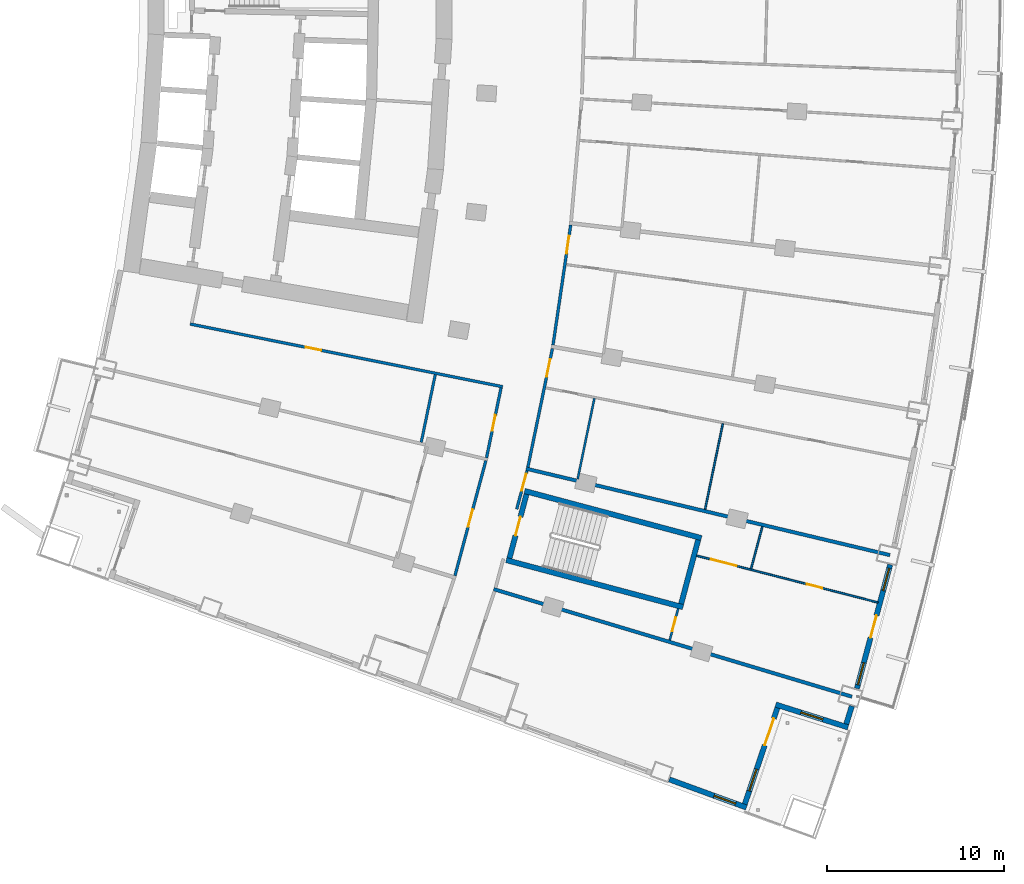
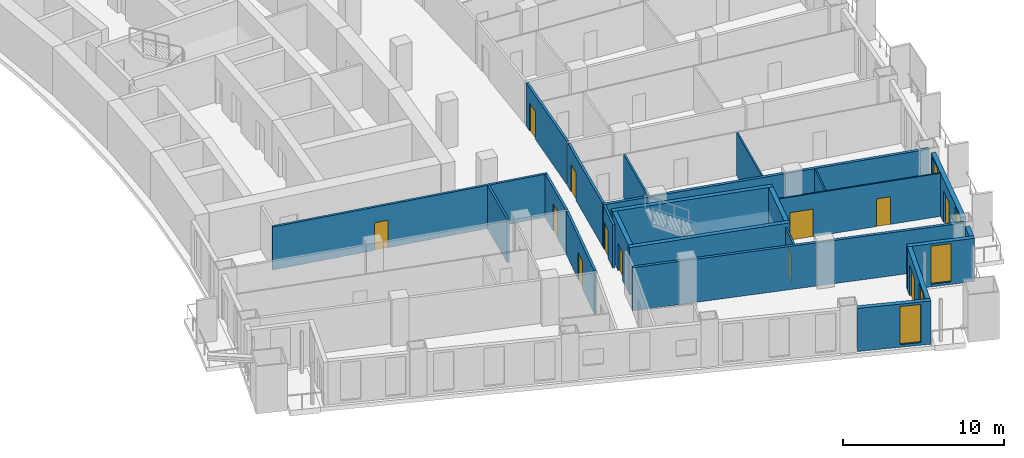
# One storey, part 14 of 25: 23 walls, 12 doors, 5 windows, 17 openings.
"""IFC4 building model written with IfcOpenShell, lengths in metres."""

from ifc_helpers import new_model, si_unit, direction, frame, frame_2d, origin, place, context, subcontext, project, spatial, rectangle, extrude, material, layer, layer_set, type_object, element, fill, save


model = new_model("IFC4")

# Units and contexts
model_context = context("Model", 3, precision=1e-05, world=origin(), true_north=direction((0.0, 1.0)))
body_context = subcontext(model_context, "Body", "Model", "MODEL_VIEW")
ifc_project = project(units=[si_unit("LENGTHUNIT", "METRE"), si_unit("AREAUNIT", "SQUARE_METRE"), si_unit("VOLUMEUNIT", "CUBIC_METRE"), si_unit("PLANEANGLEUNIT", "RADIAN"), si_unit("MASSUNIT", "GRAM", prefix="KILO")], contexts=[model_context])

# Site, building, storey
site_placement = place(None, origin())
site = spatial("IfcSite", under=ifc_project, at=site_placement, CompositionType="ELEMENT")
building_placement = place(site_placement, origin())
building = spatial("IfcBuilding", under=site, at=building_placement, Name="Alderwake Tower", CompositionType="ELEMENT")
storey_placement = place(building_placement, frame((0.0, 0.0, 68.0)))
storey = spatial("IfcBuildingStorey", under=building, at=storey_placement, Name="L16", CompositionType="ELEMENT", Elevation=68.0)

# Walls
ifc_material_1 = material(Name="Concrete C70/85", Category="concrete")
ifc_layer_1 = layer(ifc_material_1, 0.300048828125)
ifc_layer_set_1 = layer_set([ifc_layer_1], Name="Core wall stair enclosure 300 C70-85")
wall_type_1 = type_object("IfcWallType", Name="Core wall stair enclosure 300 C70-85", PredefinedType="SHEAR", material=ifc_layer_set_1)
for number, where, z_axis, x_axis, name in (
    (1, (37.75390625, 31.731201171875, 0.0), (0.0, 0.0, 1.0), (0.966309214305, -0.257383958996, 0.0), "Core wall CW.086"),
    (2, (36.71142578125, 27.817626953125, 0.0), (0.0, 0.0, 1.0), (0.966309214305, -0.257383958996, 0.0), "Core wall CW.088"),
):
    element("IfcWall", number, at=place(storey_placement, frame(where, z_axis=z_axis, x_axis=x_axis)), inside=storey, type_object=wall_type_1, Name=name, PredefinedType="SHEAR", context=body_context, shape_type="SweptSolid", body=[
        extrude(rectangle(XDim=10.360107421875, YDim=0.300048828125, at=frame_2d((5.18017578125, 0.0))), origin(), (0.0, 0.0, 1.0), 3.60009765625),
    ])

# Wall, opening, door
wall_1_placement = place(storey_placement, frame((36.89501953125, 27.923828125, 0.0), z_axis=(0.0, 0.0, 1.0), x_axis=(0.257350630826, 0.966318090907, 0.0)))
wall_1 = element("IfcWall", 3, at=wall_1_placement, inside=storey, type_object=wall_type_1, Name="Core wall CW.087", PredefinedType="SHEAR", context=body_context, shape_type="SweptSolid", body=[
    extrude(rectangle(XDim=3.75, YDim=0.300048828125, at=frame_2d((1.875, 0.0))), origin(), (0.0, 0.0, 1.0), 3.60009765625),
])
opening_1_placement = place(wall_1_placement, frame((1.324951171875, 0.0, 0.0)))
opening_1 = element("IfcOpeningElement", 4, at=opening_1_placement, cuts=wall_1, Name="Opening C065", PredefinedType="OPENING", context=body_context, shape_type="SweptSolid", body=[
    extrude(rectangle(XDim=1.10009765625, YDim=2.10009765625, at=frame_2d((0.550048828125, 1.050048828125))), frame((0.0, 0.159912109375, 0.0), z_axis=(0.0, -1.0, 0.0), x_axis=(1.0, 0.0, 0.0)), (0.0, 0.0, 1.0), 0.320068359375),
])
ifc_material_2 = material(Name="Steel-framed fire door leaf", Category="steel")
door_type_1 = type_object("IfcDoorType", Name="Core stair door 1100 fire-rated", OperationType="SINGLE_SWING_LEFT", PredefinedType="DOOR", material=ifc_material_2)
door_1_placement = place(opening_1_placement, origin())
door_1 = element("IfcDoor", 5, at=door_1_placement, inside=storey, type_object=door_type_1, Name="Stair door", OperationType="SINGLE_SWING_LEFT", OverallHeight=2.10009765625, OverallWidth=1.10009765625, PredefinedType="DOOR", context=body_context, shape_type="SweptSolid", body=[
    extrude(rectangle(XDim=1.10009765625, YDim=2.10009765625, at=frame_2d((0.550048828125, 1.050048828125))), frame((0.0, 0.02490234375, 0.0), z_axis=(0.0, -1.0, 0.0), x_axis=(1.0, 0.0, 0.0)), (0.0, 0.0, 1.0), 0.050048828125),
])
fill(opening_1, door_1)

# Wall
wall_2_placement = place(storey_placement, frame((46.6162109375, 25.334716796875, 0.0), z_axis=(0.0, 0.0, 1.0), x_axis=(0.257366821694, 0.966313778796, 0.0)))
element("IfcWall", 6, at=wall_2_placement, inside=storey, type_object=wall_type_1, Name="Core wall CW.085", PredefinedType="SHEAR", context=body_context, shape_type="SweptSolid", body=[
    extrude(rectangle(XDim=3.749755859375, YDim=0.300048828125, at=frame_2d((1.875, 0.0))), origin(), (0.0, 0.0, 1.0), 3.60009765625),
])

# Wall, opening, door
ifc_material_3 = material(Name="Gypsum board on metal studs, rated")
ifc_layer_2 = layer(ifc_material_3, 0.159912109375)
ifc_layer_set_2 = layer_set([ifc_layer_2], Name="Corridor wall 160")
wall_type_2 = type_object("IfcWallType", Name="Corridor wall 160", PredefinedType="PARTITIONING", material=ifc_layer_set_2)
wall_3_placement = place(storey_placement, frame((36.513427734375, 37.63427734375, 0.0), z_axis=(0.0, 0.0, 1.0), x_axis=(-0.980470254867, 0.1966674333, 0.0)))
wall_3 = element("IfcWall", 7, at=wall_3_placement, inside=storey, type_object=wall_type_2, Name="WL/L16/W18", PredefinedType="PARTITIONING", context=body_context, shape_type="SweptSolid", body=[
    extrude(rectangle(XDim=18.053466796875, YDim=0.159912109375, at=frame_2d((9.02685546875, 0.0))), origin(), (0.0, 0.0, 1.0), 3.280029296875),
])
opening_2_placement = place(wall_3_placement, frame((10.476806640625, 0.0, 0.0)))
opening_2 = element("IfcOpeningElement", 8, at=opening_2_placement, cuts=wall_3, Name="Opening R04-SBS1", PredefinedType="OPENING", context=body_context, shape_type="SweptSolid", body=[
    extrude(rectangle(XDim=0.89990234375, YDim=2.10009765625, at=frame_2d((0.449951171875, 1.050048828125))), frame((0.0, 0.08984375, 0.0), z_axis=(0.0, -1.0, 0.0), x_axis=(1.0, 0.0, 0.0)), (0.0, 0.0, 1.0), 0.179931640625),
])
ifc_material_4 = material(Name="Painted timber leaf", Category="wood")
door_type_2 = type_object("IfcDoorType", Name="Room door 900", OperationType="SINGLE_SWING_LEFT", PredefinedType="DOOR", material=ifc_material_4)
door_2_placement = place(opening_2_placement, origin())
door_2 = element("IfcDoor", 9, at=door_2_placement, inside=storey, type_object=door_type_2, Name="DR/L16/SBS1", OperationType="SINGLE_SWING_LEFT", OverallHeight=2.10009765625, OverallWidth=0.89990234375, PredefinedType="DOOR", context=body_context, shape_type="SweptSolid", body=[
    extrude(rectangle(XDim=0.89990234375, YDim=2.10009765625, at=frame_2d((0.449951171875, 1.050048828125))), frame((0.0, 0.02490234375, 0.0), z_axis=(0.0, -1.0, 0.0), x_axis=(1.0, 0.0, 0.0)), (0.0, 0.0, 1.0), 0.050048828125),
])
fill(opening_2, door_2)

wall_4_placement = place(storey_placement, frame((33.808837890625, 26.9345703125, 0.0), z_axis=(0.0, 0.0, 1.0), x_axis=(0.259298911818, 0.965797118618, 0.0)))
wall_4 = element("IfcWall", 10, at=wall_4_placement, inside=storey, type_object=wall_type_2, Name="WL/L16/W25", PredefinedType="PARTITIONING", context=body_context, shape_type="SweptSolid", body=[
    extrude(rectangle(XDim=6.75, YDim=0.159912109375, at=frame_2d((3.375, 0.0))), origin(), (0.0, 0.0, 1.0), 3.280029296875),
])
opening_3_placement = place(wall_4_placement, frame((2.875, 0.0, 0.0)))
opening_3 = element("IfcOpeningElement", 11, at=opening_3_placement, cuts=wall_4, Name="Opening R04-U13.1", PredefinedType="OPENING", context=body_context, shape_type="SweptSolid", body=[
    extrude(rectangle(XDim=1.0, YDim=2.10009765625, at=frame_2d((0.5, 1.050048828125))), frame((0.0, 0.08984375, 0.0), z_axis=(0.0, -1.0, 0.0), x_axis=(1.0, 0.0, 0.0)), (0.0, 0.0, 1.0), 0.179931640625),
])
ifc_material_5 = material(Name="Solid timber leaf in steel frame", Category="steel")
door_type_3 = type_object("IfcDoorType", Name="Flat entrance door 1000 fire-rated", OperationType="SINGLE_SWING_LEFT", PredefinedType="DOOR", material=ifc_material_5)
door_3_placement = place(opening_3_placement, origin())
door_3 = element("IfcDoor", 12, at=door_3_placement, inside=storey, type_object=door_type_3, Name="DR/L16/U13.1", OperationType="SINGLE_SWING_LEFT", OverallHeight=2.10009765625, OverallWidth=1.0, PredefinedType="DOOR", context=body_context, shape_type="SweptSolid", body=[
    extrude(rectangle(XDim=1.0, YDim=2.10009765625, at=frame_2d((0.5, 1.050048828125))), frame((0.0, 0.02490234375, 0.0), z_axis=(0.0, -1.0, 0.0), x_axis=(1.0, 0.0, 0.0)), (0.0, 0.0, 1.0), 0.050048828125),
])
fill(opening_3, door_3)

wall_5_placement = place(storey_placement, frame((35.59619140625, 33.609375, 0.0), z_axis=(0.0, 0.0, 1.0), x_axis=(0.203245920818, 0.979127721838, 0.0)))
wall_5 = element("IfcWall", 13, at=wall_5_placement, inside=storey, type_object=wall_type_2, Name="WL/L16/W30", PredefinedType="PARTITIONING", context=body_context, shape_type="SweptSolid", body=[
    extrude(rectangle(XDim=4.046875, YDim=0.159912109375, at=frame_2d((2.0234375, 0.0))), origin(), (0.0, 0.0, 1.0), 3.280029296875),
])
opening_4_placement = place(wall_5_placement, frame((1.573486328125, 0.0, 0.0)))
opening_4 = element("IfcOpeningElement", 14, at=opening_4_placement, cuts=wall_5, Name="Opening R04-SBS2", PredefinedType="OPENING", context=body_context, shape_type="SweptSolid", body=[
    extrude(rectangle(XDim=0.89990234375, YDim=2.10009765625, at=frame_2d((0.449951171875, 1.050048828125))), frame((0.0, 0.08984375, 0.0), z_axis=(0.0, -1.0, 0.0), x_axis=(1.0, 0.0, 0.0)), (0.0, 0.0, 1.0), 0.179931640625),
])
door_4_placement = place(opening_4_placement, origin())
door_4 = element("IfcDoor", 15, at=door_4_placement, inside=storey, type_object=door_type_2, Name="DR/L16/SBS2", OperationType="SINGLE_SWING_LEFT", OverallHeight=2.10009765625, OverallWidth=0.89990234375, PredefinedType="DOOR", context=body_context, shape_type="SweptSolid", body=[
    extrude(rectangle(XDim=0.89990234375, YDim=2.10009765625, at=frame_2d((0.449951171875, 1.050048828125))), frame((0.0, 0.02490234375, 0.0), z_axis=(0.0, -1.0, 0.0), x_axis=(1.0, 0.0, 0.0)), (0.0, 0.0, 1.0), 0.050048828125),
])
fill(opening_4, door_4)

wall_6_placement = place(storey_placement, frame((37.89111328125, 32.87939453125, 0.0), z_axis=(0.0, 0.0, 1.0), x_axis=(-0.259620578816, -0.965710699462, 0.0)))
wall_6 = element("IfcWall", 16, at=wall_6_placement, inside=storey, type_object=wall_type_2, Name="WL/L16/W33", PredefinedType="PARTITIONING", context=body_context, shape_type="SweptSolid", body=[
    extrude(rectangle(XDim=2.2578125, YDim=0.159912109375, at=frame_2d((1.12890625, 0.0))), origin(), (0.0, 0.0, 1.0), 3.280029296875),
])
opening_5_placement = place(wall_6_placement, frame((0.1708984375, 0.0, 0.0)))
opening_5 = element("IfcOpeningElement", 17, at=opening_5_placement, cuts=wall_6, Name="Opening R04-U01.1", PredefinedType="OPENING", context=body_context, shape_type="SweptSolid", body=[
    extrude(rectangle(XDim=1.0, YDim=2.10009765625, at=frame_2d((0.5, 1.050048828125))), frame((0.0, 0.08984375, 0.0), z_axis=(0.0, -1.0, 0.0), x_axis=(1.0, 0.0, 0.0)), (0.0, 0.0, 1.0), 0.179931640625),
])
door_5_placement = place(opening_5_placement, origin())
door_5 = element("IfcDoor", 18, at=door_5_placement, inside=storey, type_object=door_type_3, Name="DR/L16/U01.1", OperationType="SINGLE_SWING_LEFT", OverallHeight=2.10009765625, OverallWidth=1.0, PredefinedType="DOOR", context=body_context, shape_type="SweptSolid", body=[
    extrude(rectangle(XDim=1.0, YDim=2.10009765625, at=frame_2d((0.5, 1.050048828125))), frame((0.0, 0.02490234375, 0.0), z_axis=(0.0, -1.0, 0.0), x_axis=(1.0, 0.0, 0.0)), (0.0, 0.0, 1.0), 0.050048828125),
])
fill(opening_5, door_5)

wall_7_placement = place(storey_placement, frame((39.32763671875, 39.799072265625, 0.0), z_axis=(0.0, 0.0, 1.0), x_axis=(-0.202463357072, -0.97928983914, 0.0)))
wall_7 = element("IfcWall", 19, at=wall_7_placement, inside=storey, type_object=wall_type_2, Name="WL/L16/W34", PredefinedType="PARTITIONING", context=body_context, shape_type="SweptSolid", body=[
    extrude(rectangle(XDim=6.867431640625, YDim=0.159912109375, at=frame_2d((3.43359375, 0.0))), origin(), (0.0, 0.0, 1.0), 3.280029296875),
])
opening_6_placement = place(wall_7_placement, frame((0.62744140625, 0.0, 0.0)))
opening_6 = element("IfcOpeningElement", 20, at=opening_6_placement, cuts=wall_7, Name="Opening R04-U05.2", PredefinedType="OPENING", context=body_context, shape_type="SweptSolid", body=[
    extrude(rectangle(XDim=1.0, YDim=2.10009765625, at=frame_2d((0.5, 1.050048828125))), frame((0.0, 0.08984375, 0.0), z_axis=(0.0, -1.0, 0.0), x_axis=(1.0, 0.0, 0.0)), (0.0, 0.0, 1.0), 0.179931640625),
])
door_6_placement = place(opening_6_placement, origin())
door_6 = element("IfcDoor", 21, at=door_6_placement, inside=storey, type_object=door_type_3, Name="DR/L16/U05.2", OperationType="SINGLE_SWING_LEFT", OverallHeight=2.10009765625, OverallWidth=1.0, PredefinedType="DOOR", context=body_context, shape_type="SweptSolid", body=[
    extrude(rectangle(XDim=1.0, YDim=2.10009765625, at=frame_2d((0.5, 1.050048828125))), frame((0.0, 0.02490234375, 0.0), z_axis=(0.0, -1.0, 0.0), x_axis=(1.0, 0.0, 0.0)), (0.0, 0.0, 1.0), 0.050048828125),
])
fill(opening_6, door_6)

wall_8_placement = place(storey_placement, frame((40.3623046875, 46.7939453125, 0.0), z_axis=(0.0, 0.0, 1.0), x_axis=(-0.1455042199, -0.989357630987, 0.0)))
wall_8 = element("IfcWall", 22, at=wall_8_placement, inside=storey, type_object=wall_type_2, Name="WL/L16/W36", PredefinedType="PARTITIONING", context=body_context, shape_type="SweptSolid", body=[
    extrude(rectangle(XDim=6.87109375, YDim=0.159912109375, at=frame_2d((3.435546875, 0.0))), origin(), (0.0, 0.0, 1.0), 3.280029296875),
])
opening_7_placement = place(wall_8_placement, frame((0.628662109375, 0.0, 0.0)))
opening_7 = element("IfcOpeningElement", 23, at=opening_7_placement, cuts=wall_8, Name="Opening R04-U06.2", PredefinedType="OPENING", context=body_context, shape_type="SweptSolid", body=[
    extrude(rectangle(XDim=1.0, YDim=2.10009765625, at=frame_2d((0.5, 1.050048828125))), frame((0.0, 0.08984375, 0.0), z_axis=(0.0, -1.0, 0.0), x_axis=(1.0, 0.0, 0.0)), (0.0, 0.0, 1.0), 0.179931640625),
])
door_7_placement = place(opening_7_placement, origin())
door_7 = element("IfcDoor", 24, at=door_7_placement, inside=storey, type_object=door_type_3, Name="DR/L16/U06.2", OperationType="SINGLE_SWING_LEFT", OverallHeight=2.10009765625, OverallWidth=1.0, PredefinedType="DOOR", context=body_context, shape_type="SweptSolid", body=[
    extrude(rectangle(XDim=1.0, YDim=2.10009765625, at=frame_2d((0.5, 1.050048828125))), frame((0.0, 0.02490234375, 0.0), z_axis=(0.0, -1.0, 0.0), x_axis=(1.0, 0.0, 0.0)), (0.0, 0.0, 1.0), 0.050048828125),
])
fill(opening_7, door_7)

# Wall
ifc_material_6 = material(Name="Precast concrete C50/60 spandrel panel", Category="concrete")
ifc_layer_3 = layer(ifc_material_6, 0.300048828125)
ifc_layer_set_3 = layer_set([ifc_layer_3], Name="External wall EW1 Precast concrete C50/60 spandrel")
wall_type_3 = type_object("IfcWallType", Name="External wall EW1 Precast concrete C50/60 spandrel", PredefinedType="SOLIDWALL", material=ifc_layer_set_3)
wall_9_placement = place(storey_placement, frame((55.968994140625, 18.53125, 0.0), z_axis=(0.0, 0.0, 1.0), x_axis=(0.29467833964, 0.955596502791, 0.0)))
element("IfcWall", 25, at=wall_9_placement, inside=storey, type_object=wall_type_3, Name="External wall 11", PredefinedType="SOLIDWALL", context=body_context, shape_type="SweptSolid", body=[
    extrude(rectangle(XDim=1.0712890625, YDim=0.300048828125, at=frame_2d((0.53564453125, 0.0))), origin(), (0.0, 0.0, 1.0), 3.280029296875),
])

# Wall, openings, door, windows
wall_10_placement = place(storey_placement, frame((56.56982421875, 20.545166015625, 0.0), z_axis=(0.0, 0.0, 1.0), x_axis=(0.259495836826, 0.96574422632, 0.0)))
wall_10 = element("IfcWall", 26, at=wall_10_placement, inside=storey, type_object=wall_type_3, Name="External wall 12", PredefinedType="SOLIDWALL", context=body_context, shape_type="SweptSolid", body=[
    extrude(rectangle(XDim=7.259521484375, YDim=0.300048828125, at=frame_2d((3.6298828125, 0.0))), origin(), (0.0, 0.0, 1.0), 3.280029296875),
])
opening_8_placement = place(wall_10_placement, frame((0.215087890625, 0.0, 0.199951171875)))
opening_8 = element("IfcOpeningElement", 27, at=opening_8_placement, cuts=wall_10, Name="Opening W1", PredefinedType="OPENING", context=body_context, shape_type="SweptSolid", body=[
    extrude(rectangle(XDim=1.300048828125, YDim=2.89990234375, at=frame_2d((0.64990234375, 1.449951171875))), frame((0.0, 0.159912109375, 0.0), z_axis=(0.0, -1.0, 0.0), x_axis=(1.0, 0.0, 0.0)), (0.0, 0.0, 1.0), 0.320068359375),
])
opening_9_placement = place(wall_10_placement, frame((2.979736328125, 0.0, 0.0)))
opening_9 = element("IfcOpeningElement", 28, at=opening_9_placement, cuts=wall_10, Name="Opening D03", PredefinedType="OPENING", context=body_context, shape_type="SweptSolid", body=[
    extrude(rectangle(XDim=1.300048828125, YDim=2.39990234375, at=frame_2d((0.64990234375, 1.199951171875))), frame((0.0, 0.159912109375, 0.0), z_axis=(0.0, -1.0, 0.0), x_axis=(1.0, 0.0, 0.0)), (0.0, 0.0, 1.0), 0.320068359375),
])
opening_10_placement = place(wall_10_placement, frame((5.744384765625, 0.0, 0.199951171875)))
opening_10 = element("IfcOpeningElement", 29, at=opening_10_placement, cuts=wall_10, Name="Opening W1", PredefinedType="OPENING", context=body_context, shape_type="SweptSolid", body=[
    extrude(rectangle(XDim=1.300048828125, YDim=2.89990234375, at=frame_2d((0.64990234375, 1.449951171875))), frame((0.0, 0.159912109375, 0.0), z_axis=(0.0, -1.0, 0.0), x_axis=(1.0, 0.0, 0.0)), (0.0, 0.0, 1.0), 0.320068359375),
])
ifc_material_7 = material(Name="Bronze tinted glass in aluminium frame", Category="aluminium")
door_type_4 = type_object("IfcDoorType", Name="Balcony door BD sliding", OperationType="SLIDING_TO_LEFT", PredefinedType="DOOR", material=ifc_material_7)
door_8_placement = place(opening_9_placement, origin())
door_8 = element("IfcDoor", 30, at=door_8_placement, inside=storey, type_object=door_type_4, Name="Door D03", OperationType="SLIDING_TO_LEFT", OverallHeight=2.39990234375, OverallWidth=1.300048828125, PredefinedType="DOOR", context=body_context, shape_type="SweptSolid", body=[
    extrude(rectangle(XDim=1.300048828125, YDim=2.39990234375, at=frame_2d((0.64990234375, 1.199951171875))), frame((0.0, 0.02490234375, 0.0), z_axis=(0.0, -1.0, 0.0), x_axis=(1.0, 0.0, 0.0)), (0.0, 0.0, 1.0), 0.050048828125),
])
fill(opening_9, door_8)
ifc_material_8 = material(Name="Bronze tinted glass in aluminium frame", Category="aluminium")
window_type = type_object("IfcWindowType", Name="Window W1 tall fixed and vent", PartitioningType="DOUBLE_PANEL_VERTICAL", PredefinedType="WINDOW", material=ifc_material_8)
window_1_placement = place(opening_8_placement, origin())
window_1 = element("IfcWindow", 31, at=window_1_placement, inside=storey, type_object=window_type, Name="Window W1 tall fixed and vent", OverallHeight=2.89990234375, OverallWidth=1.300048828125, PartitioningType="DOUBLE_PANEL_VERTICAL", PredefinedType="WINDOW", context=body_context, shape_type="SweptSolid", body=[
    extrude(rectangle(XDim=1.300048828125, YDim=2.89990234375, at=frame_2d((0.64990234375, 1.449951171875))), frame((0.0, 0.030029296875, 0.0), z_axis=(0.0, -1.0, 0.0), x_axis=(1.0, 0.0, 0.0)), (0.0, 0.0, 1.0), 0.06005859375),
])
fill(opening_8, window_1)
window_2_placement = place(opening_10_placement, origin())
window_2 = element("IfcWindow", 32, at=window_2_placement, inside=storey, type_object=window_type, Name="Window W1 tall fixed and vent", OverallHeight=2.89990234375, OverallWidth=1.300048828125, PartitioningType="DOUBLE_PANEL_VERTICAL", PredefinedType="WINDOW", context=body_context, shape_type="SweptSolid", body=[
    extrude(rectangle(XDim=1.300048828125, YDim=2.89990234375, at=frame_2d((0.64990234375, 1.449951171875))), frame((0.0, 0.030029296875, 0.0), z_axis=(0.0, -1.0, 0.0), x_axis=(1.0, 0.0, 0.0)), (0.0, 0.0, 1.0), 0.06005859375),
])
fill(opening_10, window_2)

# Wall, opening, window
ifc_material_9 = material(Name="Bronze metal cladding on lightweight framing")
ifc_layer_4 = layer(ifc_material_9, 0.300048828125)
ifc_layer_set_4 = layer_set([ifc_layer_4], Name="External wall EW2 bronze metal cladding")
wall_type_4 = type_object("IfcWallType", Name="External wall EW2 bronze metal cladding", PredefinedType="SOLIDWALL", material=ifc_layer_set_4)
wall_11_placement = place(storey_placement, frame((45.94970703125, 15.3974609375, 0.0), z_axis=(0.0, 0.0, 1.0), x_axis=(0.939360006806, -0.342932613807, 0.0)))
wall_11 = element("IfcWall", 33, at=wall_11_placement, inside=storey, type_object=wall_type_4, Name="External wall 8", PredefinedType="SOLIDWALL", context=body_context, shape_type="SweptSolid", body=[
    extrude(rectangle(XDim=4.64599609375, YDim=0.300048828125, at=frame_2d((2.322998046875, 0.0))), origin(), (0.0, 0.0, 1.0), 3.280029296875),
])
opening_11_placement = place(wall_11_placement, frame((2.6962890625, 0.0, 0.199951171875)))
opening_11 = element("IfcOpeningElement", 34, at=opening_11_placement, cuts=wall_11, Name="Opening W1", PredefinedType="OPENING", context=body_context, shape_type="SweptSolid", body=[
    extrude(rectangle(XDim=1.300048828125, YDim=2.89990234375, at=frame_2d((0.64990234375, 1.449951171875))), frame((0.0, 0.159912109375, 0.0), z_axis=(0.0, -1.0, 0.0), x_axis=(1.0, 0.0, 0.0)), (0.0, 0.0, 1.0), 0.320068359375),
])
window_3_placement = place(opening_11_placement, origin())
window_3 = element("IfcWindow", 35, at=window_3_placement, inside=storey, type_object=window_type, Name="Window W1 tall fixed and vent", OverallHeight=2.89990234375, OverallWidth=1.300048828125, PartitioningType="DOUBLE_PANEL_VERTICAL", PredefinedType="WINDOW", context=body_context, shape_type="SweptSolid", body=[
    extrude(rectangle(XDim=1.300048828125, YDim=2.89990234375, at=frame_2d((0.64990234375, 1.449951171875))), frame((0.0, 0.030029296875, 0.0), z_axis=(0.0, -1.0, 0.0), x_axis=(1.0, 0.0, 0.0)), (0.0, 0.0, 1.0), 0.06005859375),
])
fill(opening_11, window_3)

# Wall, openings, door, window
wall_12_placement = place(storey_placement, frame((50.22119140625, 13.997802734375, 0.0), z_axis=(0.0, 0.0, 1.0), x_axis=(0.320867781559, 0.947123997562, 0.0)))
wall_12 = element("IfcWall", 36, at=wall_12_placement, inside=storey, type_object=wall_type_4, Name="External wall 9", PredefinedType="SOLIDWALL", context=body_context, shape_type="SweptSolid", body=[
    extrude(rectangle(XDim=5.7568359375, YDim=0.300048828125, at=frame_2d((2.87841796875, 0.0))), origin(), (0.0, 0.0, 1.0), 3.280029296875),
])
opening_12_placement = place(wall_12_placement, frame((0.789306640625, 0.0, 0.199951171875)))
opening_12 = element("IfcOpeningElement", 37, at=opening_12_placement, cuts=wall_12, Name="Opening W1", PredefinedType="OPENING", context=body_context, shape_type="SweptSolid", body=[
    extrude(rectangle(XDim=1.300048828125, YDim=2.89990234375, at=frame_2d((0.64990234375, 1.449951171875))), frame((0.0, 0.159912109375, 0.0), z_axis=(0.0, -1.0, 0.0), x_axis=(1.0, 0.0, 0.0)), (0.0, 0.0, 1.0), 0.320068359375),
])
opening_13_placement = place(wall_12_placement, frame((3.517578125, 0.0, 0.0)))
opening_13 = element("IfcOpeningElement", 38, at=opening_13_placement, cuts=wall_12, Name="Opening D02", PredefinedType="OPENING", context=body_context, shape_type="SweptSolid", body=[
    extrude(rectangle(XDim=1.60009765625, YDim=2.39990234375, at=frame_2d((0.800048828125, 1.199951171875))), frame((0.0, 0.159912109375, 0.0), z_axis=(0.0, -1.0, 0.0), x_axis=(1.0, 0.0, 0.0)), (0.0, 0.0, 1.0), 0.320068359375),
])
ifc_material_10 = material(Name="Bronze tinted glass in aluminium frame", Category="aluminium")
door_type_5 = type_object("IfcDoorType", Name="Terrace door TD sliding", OperationType="SLIDING_TO_LEFT", PredefinedType="DOOR", material=ifc_material_10)
door_9_placement = place(opening_13_placement, origin())
door_9 = element("IfcDoor", 39, at=door_9_placement, inside=storey, type_object=door_type_5, Name="Door D02", OperationType="SLIDING_TO_LEFT", OverallHeight=2.39990234375, OverallWidth=1.60009765625, PredefinedType="DOOR", context=body_context, shape_type="SweptSolid", body=[
    extrude(rectangle(XDim=1.60009765625, YDim=2.39990234375, at=frame_2d((0.800048828125, 1.199951171875))), frame((0.0, 0.02490234375, 0.0), z_axis=(0.0, -1.0, 0.0), x_axis=(1.0, 0.0, 0.0)), (0.0, 0.0, 1.0), 0.050048828125),
])
fill(opening_13, door_9)
window_4_placement = place(opening_12_placement, origin())
window_4 = element("IfcWindow", 40, at=window_4_placement, inside=storey, type_object=window_type, Name="Window W1 tall fixed and vent", OverallHeight=2.89990234375, OverallWidth=1.300048828125, PartitioningType="DOUBLE_PANEL_VERTICAL", PredefinedType="WINDOW", context=body_context, shape_type="SweptSolid", body=[
    extrude(rectangle(XDim=1.300048828125, YDim=2.89990234375, at=frame_2d((0.64990234375, 1.449951171875))), frame((0.0, 0.030029296875, 0.0), z_axis=(0.0, -1.0, 0.0), x_axis=(1.0, 0.0, 0.0)), (0.0, 0.0, 1.0), 0.06005859375),
])
fill(opening_12, window_4)

# Wall, opening, window
wall_13_placement = place(storey_placement, frame((51.973388671875, 19.637451171875, 0.0), z_axis=(0.0, 0.0, 1.0), x_axis=(0.953475206707, -0.301471441758, 0.0)))
wall_13 = element("IfcWall", 41, at=wall_13_placement, inside=storey, type_object=wall_type_4, Name="External wall 10", PredefinedType="SOLIDWALL", context=body_context, shape_type="SweptSolid", body=[
    extrude(rectangle(XDim=4.29443359375, YDim=0.300048828125, at=frame_2d((2.147216796875, 0.0))), origin(), (0.0, 0.0, 1.0), 3.280029296875),
])
opening_14_placement = place(wall_13_placement, frame((1.4970703125, 0.0, 0.199951171875)))
opening_14 = element("IfcOpeningElement", 42, at=opening_14_placement, cuts=wall_13, Name="Opening W1", PredefinedType="OPENING", context=body_context, shape_type="SweptSolid", body=[
    extrude(rectangle(XDim=1.300048828125, YDim=2.89990234375, at=frame_2d((0.64990234375, 1.449951171875))), frame((0.0, 0.159912109375, 0.0), z_axis=(0.0, -1.0, 0.0), x_axis=(1.0, 0.0, 0.0)), (0.0, 0.0, 1.0), 0.320068359375),
])
window_5_placement = place(opening_14_placement, origin())
window_5 = element("IfcWindow", 43, at=window_5_placement, inside=storey, type_object=window_type, Name="Window W1 tall fixed and vent", OverallHeight=2.89990234375, OverallWidth=1.300048828125, PartitioningType="DOUBLE_PANEL_VERTICAL", PredefinedType="WINDOW", context=body_context, shape_type="SweptSolid", body=[
    extrude(rectangle(XDim=1.300048828125, YDim=2.89990234375, at=frame_2d((0.64990234375, 1.449951171875))), frame((0.0, 0.030029296875, 0.0), z_axis=(0.0, -1.0, 0.0), x_axis=(1.0, 0.0, 0.0)), (0.0, 0.0, 1.0), 0.06005859375),
])
fill(opening_14, window_5)

# Walls
ifc_material_11 = material(Name="Dense block masonry wall", Category="masonry")
ifc_layer_5 = layer(ifc_material_11, 0.199951171875)
ifc_layer_set_5 = layer_set([ifc_layer_5], Name="Party wall 200")
wall_type_5 = type_object("IfcWallType", Name="Party wall 200", PredefinedType="SOLIDWALL", material=ifc_layer_set_5)
wall_14_placement = place(storey_placement, frame((36.00439453125, 26.1708984375, 0.0), z_axis=(0.0, 0.0, 1.0), x_axis=(0.957781220671, -0.287498057958, 0.0)))
element("IfcWall", 44, at=wall_14_placement, inside=storey, type_object=wall_type_5, Name="WL/L16/W05", PredefinedType="SOLIDWALL", context=body_context, shape_type="SweptSolid", body=[
    extrude(rectangle(XDim=21.1787109375, YDim=0.199951171875, at=frame_2d((10.58935546875, 0.0))), origin(), (0.0, 0.0, 1.0), 3.280029296875),
])
wall_15_placement = place(storey_placement, frame((37.839111328125, 32.994384765625, 0.0), z_axis=(0.0, 0.0, 1.0), x_axis=(0.972904338918, -0.23120801741, 0.0)))
element("IfcWall", 45, at=wall_15_placement, inside=storey, type_object=wall_type_5, Name="WL/L16/W06", PredefinedType="SOLIDWALL", context=body_context, shape_type="SweptSolid", body=[
    extrude(rectangle(XDim=21.177734375, YDim=0.199951171875, at=frame_2d((10.5888671875, 0.0))), origin(), (0.0, 0.0, 1.0), 3.280029296875),
])
ifc_material_12 = material(Name="Gypsum shaft wall system, rated")
ifc_layer_6 = layer(ifc_material_12, 0.14990234375)
ifc_layer_set_6 = layer_set([ifc_layer_6], Name="Riser and shaft wall 150")
wall_type_6 = type_object("IfcWallType", Name="Riser and shaft wall 150", PredefinedType="PARTITIONING", material=ifc_layer_set_6)
wall_16_placement = place(storey_placement, frame((31.900146484375, 34.48828125, 0.0), z_axis=(0.0, 0.0, 1.0), x_axis=(0.20266545775, 0.979248034073, 0.0)))
element("IfcWall", 46, at=wall_16_placement, inside=storey, type_object=wall_type_6, Name="WL/L16/W15", PredefinedType="PARTITIONING", context=body_context, shape_type="SweptSolid", body=[
    extrude(rectangle(XDim=3.911376953125, YDim=0.14990234375, at=frame_2d((1.95556640625, 0.0))), origin(), (0.0, 0.0, 1.0), 3.280029296875),
])

# Wall, openings, doors
ifc_material_13 = material(Name="Gypsum board on metal studs")
ifc_layer_7 = layer(ifc_material_13, 0.10009765625)
ifc_layer_set_7 = layer_set([ifc_layer_7], Name="Unit partition 100")
wall_type_7 = type_object("IfcWallType", Name="Unit partition 100", PredefinedType="PARTITIONING", material=ifc_layer_set_7)
wall_17_placement = place(storey_placement, frame((57.77392578125, 25.4130859375, 0.0), z_axis=(0.0, 0.0, 1.0), x_axis=(-0.968198811247, 0.250182057509, 0.0)))
wall_17 = element("IfcWall", 47, at=wall_17_placement, inside=storey, type_object=wall_type_7, Name="WL/L16/W78", PredefinedType="PARTITIONING", context=body_context, shape_type="SweptSolid", body=[
    extrude(rectangle(XDim=10.6123046875, YDim=0.10009765625, at=frame_2d((5.30615234375, 0.0))), origin(), (0.0, 0.0, 1.0), 3.280029296875),
])
opening_15_placement = place(wall_17_placement, frame((8.2802734375, 0.0, 0.0)))
opening_15 = element("IfcOpeningElement", 48, at=opening_15_placement, cuts=wall_17, Name="Opening R04-U01.2", PredefinedType="OPENING", context=body_context, shape_type="SweptSolid", body=[
    extrude(rectangle(XDim=1.5, YDim=2.10009765625, at=frame_2d((0.75, 1.050048828125))), frame((0.0, 0.06005859375, 0.0), z_axis=(0.0, -1.0, 0.0), x_axis=(1.0, 0.0, 0.0)), (0.0, 0.0, 1.0), 0.1201171875),
])
opening_16_placement = place(wall_17_placement, frame((3.2744140625, 0.0, 0.0)))
opening_16 = element("IfcOpeningElement", 49, at=opening_16_placement, cuts=wall_17, Name="Opening R04-U01.3", PredefinedType="OPENING", context=body_context, shape_type="SweptSolid", body=[
    extrude(rectangle(XDim=0.89990234375, YDim=2.10009765625, at=frame_2d((0.449951171875, 1.050048828125))), frame((0.0, 0.06005859375, 0.0), z_axis=(0.0, -1.0, 0.0), x_axis=(1.0, 0.0, 0.0)), (0.0, 0.0, 1.0), 0.1201171875),
])
ifc_material_14 = material(Name="Painted timber leaves", Category="wood")
door_type_6 = type_object("IfcDoorType", Name="Double leaf door 1500", OperationType="DOUBLE_DOOR_SINGLE_SWING", PredefinedType="DOOR", material=ifc_material_14)
door_10_placement = place(opening_15_placement, origin())
door_10 = element("IfcDoor", 50, at=door_10_placement, inside=storey, type_object=door_type_6, Name="DR/L16/U01.2", OperationType="DOUBLE_DOOR_SINGLE_SWING", OverallHeight=2.10009765625, OverallWidth=1.5, PredefinedType="DOOR", context=body_context, shape_type="SweptSolid", body=[
    extrude(rectangle(XDim=1.5, YDim=2.10009765625, at=frame_2d((0.75, 1.050048828125))), frame((0.0, 0.02490234375, 0.0), z_axis=(0.0, -1.0, 0.0), x_axis=(1.0, 0.0, 0.0)), (0.0, 0.0, 1.0), 0.050048828125),
])
fill(opening_15, door_10)
door_11_placement = place(opening_16_placement, origin())
door_11 = element("IfcDoor", 51, at=door_11_placement, inside=storey, type_object=door_type_2, Name="DR/L16/U01.3", OperationType="SINGLE_SWING_LEFT", OverallHeight=2.10009765625, OverallWidth=0.89990234375, PredefinedType="DOOR", context=body_context, shape_type="SweptSolid", body=[
    extrude(rectangle(XDim=0.89990234375, YDim=2.10009765625, at=frame_2d((0.449951171875, 1.050048828125))), frame((0.0, 0.02490234375, 0.0), z_axis=(0.0, -1.0, 0.0), x_axis=(1.0, 0.0, 0.0)), (0.0, 0.0, 1.0), 0.050048828125),
])
fill(opening_16, door_11)

# Walls
wall_18_placement = place(storey_placement, frame((47.972412109375, 30.68896484375, 0.0), z_axis=(0.0, 0.0, 1.0), x_axis=(0.202950413488, 0.979189016312, 0.0)))
element("IfcWall", 52, at=wall_18_placement, inside=storey, type_object=wall_type_7, Name="WL/L16/W80", PredefinedType="PARTITIONING", context=body_context, shape_type="SweptSolid", body=[
    extrude(rectangle(XDim=4.96337890625, YDim=0.10009765625, at=frame_2d((2.481689453125, 0.0))), origin(), (0.0, 0.0, 1.0), 3.280029296875),
])
wall_19_placement = place(storey_placement, frame((50.574951171875, 27.32421875, 0.0), z_axis=(0.0, 0.0, 1.0), x_axis=(0.259739710308, 0.965678664406, 0.0)))
element("IfcWall", 53, at=wall_19_placement, inside=storey, type_object=wall_type_7, Name="WL/L16/W82", PredefinedType="PARTITIONING", context=body_context, shape_type="SweptSolid", body=[
    extrude(rectangle(XDim=2.47216796875, YDim=0.10009765625, at=frame_2d((1.236083984375, 0.0))), origin(), (0.0, 0.0, 1.0), 3.280029296875),
])
ifc_material_15 = material(Name="Moisture resistant gypsum board on metal studs")
ifc_layer_8 = layer(ifc_material_15, 0.1201171875)
ifc_layer_set_8 = layer_set([ifc_layer_8], Name="Wet room partition 120")
wall_type_8 = type_object("IfcWallType", Name="Wet room partition 120", PredefinedType="PARTITIONING", material=ifc_layer_set_8)
wall_20_placement = place(storey_placement, frame((40.75732421875, 32.402099609375, 0.0), z_axis=(0.0, 0.0, 1.0), x_axis=(0.202555554597, 0.97927077323, 0.0)))
element("IfcWall", 54, at=wall_20_placement, inside=storey, type_object=wall_type_8, Name="WL/L16/W54", PredefinedType="PARTITIONING", context=body_context, shape_type="SweptSolid", body=[
    extrude(rectangle(XDim=4.677734375, YDim=0.1201171875, at=frame_2d((2.3388671875, 0.0))), origin(), (0.0, 0.0, 1.0), 3.280029296875),
])

# Wall, opening, door
wall_21_placement = place(storey_placement, frame((45.970947265625, 23.28369140625, 0.0), z_axis=(0.0, 0.0, 1.0), x_axis=(0.258764710752, 0.965940383497, 0.0)))
wall_21 = element("IfcWall", 55, at=wall_21_placement, inside=storey, type_object=wall_type_8, Name="WL/L16/W64", PredefinedType="PARTITIONING", context=body_context, shape_type="SweptSolid", body=[
    extrude(rectangle(XDim=1.847412109375, YDim=0.1201171875, at=frame_2d((0.923828125, 0.0))), origin(), (0.0, 0.0, 1.0), 3.280029296875),
])
opening_17_placement = place(wall_21_placement, frame((0.523681640625, 0.0, 0.0)))
opening_17 = element("IfcOpeningElement", 56, at=opening_17_placement, cuts=wall_21, Name="Opening R04-U01.4", PredefinedType="OPENING", context=body_context, shape_type="SweptSolid", body=[
    extrude(rectangle(XDim=0.800048828125, YDim=2.10009765625, at=frame_2d((0.39990234375, 1.050048828125))), frame((0.0, 0.070068359375, 0.0), z_axis=(0.0, -1.0, 0.0), x_axis=(1.0, 0.0, 0.0)), (0.0, 0.0, 1.0), 0.14013671875),
])
ifc_material_16 = material(Name="Painted timber leaf", Category="wood")
door_type_7 = type_object("IfcDoorType", Name="Bathroom door 800", OperationType="SINGLE_SWING_LEFT", PredefinedType="DOOR", material=ifc_material_16)
door_12_placement = place(opening_17_placement, origin())
door_12 = element("IfcDoor", 57, at=door_12_placement, inside=storey, type_object=door_type_7, Name="DR/L16/U01.4", OperationType="SINGLE_SWING_LEFT", OverallHeight=2.10009765625, OverallWidth=0.800048828125, PredefinedType="DOOR", context=body_context, shape_type="SweptSolid", body=[
    extrude(rectangle(XDim=0.800048828125, YDim=2.10009765625, at=frame_2d((0.39990234375, 1.050048828125))), frame((0.0, 0.02490234375, 0.0), z_axis=(0.0, -1.0, 0.0), x_axis=(1.0, 0.0, 0.0)), (0.0, 0.0, 1.0), 0.050048828125),
])
fill(opening_17, door_12)

save(model, "model.ifc")
